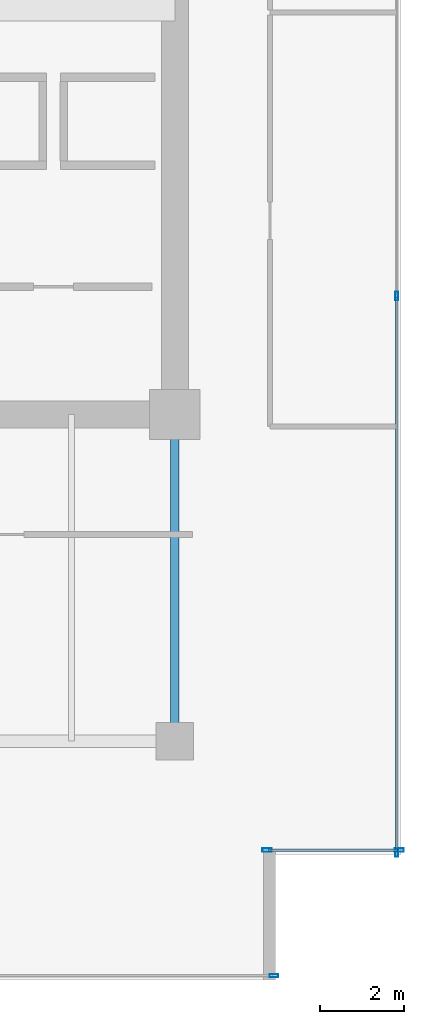
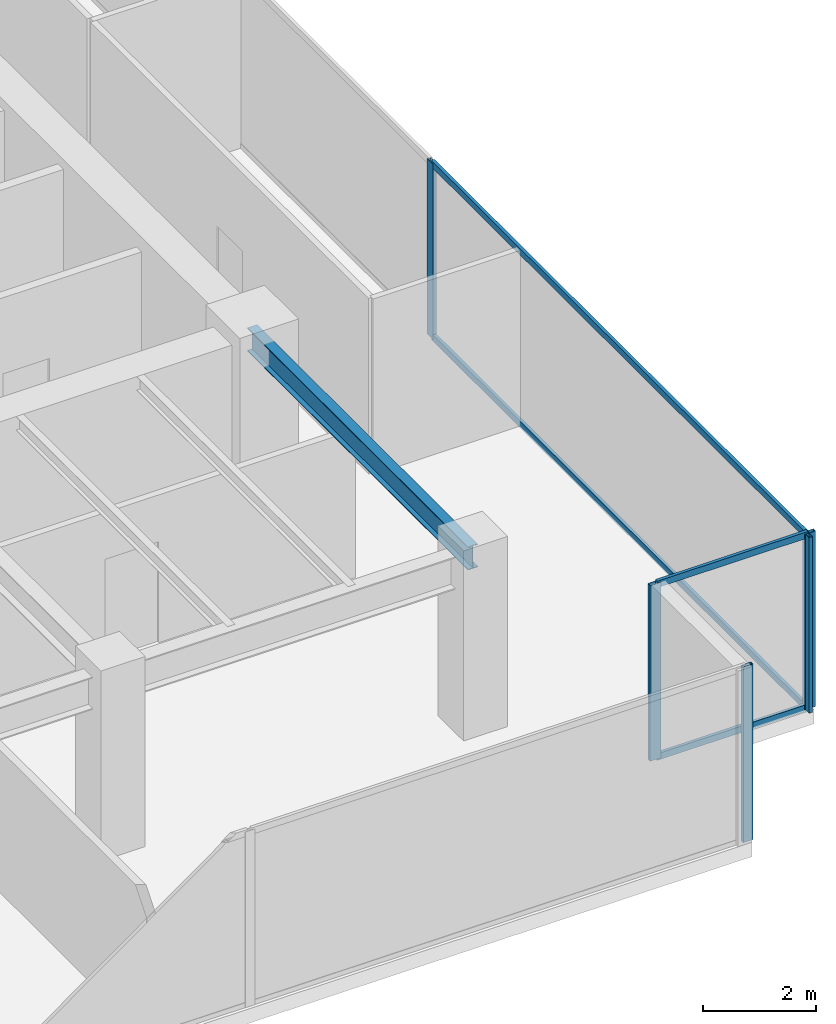
# One storey, part 21 of 30: 9 members, 1 beam, 3 elements without a shape of their own.
"""IFC4 building model written with IfcOpenShell, lengths in metres."""

import ifcopenshell
import ifcopenshell.guid

model = None  # the IFC model being written
_history = None  # IfcOwnerHistory: only IFC2X3 demands one
_inside = {}  # id of a spatial element -> (the spatial element, [elements in it])
_under = {}  # id of a project, library or spatial element -> (it, [spatial elements below it])
_declared = {}  # id of a project -> (the project, [libraries it declares])
_typed = {}  # id of a type object -> (the type object, [elements of that type])
_made_of = {}  # id of a material, layer set ... -> (it, [elements and type objects made of it])


def new_model(schema):
    """Start an empty IFC model of exactly this schema.

    Asked for "IFC4X3", IfcOpenShell would pick the latest addendum, in which some entities
    have other attributes; the version numbers below select the first issue.
    IFC2X3 requires an IfcOwnerHistory on every rooted entity: one is made here for all.
    """
    global model, _history
    if schema == "IFC4X3":
        model = ifcopenshell.file(schema_version=(4, 3, 0, 0))
    else:
        model = ifcopenshell.file(schema=schema)
    _inside.clear()
    _under.clear()
    _declared.clear()
    _typed.clear()
    _made_of.clear()
    _history = None
    if model.schema == "IFC2X3":
        org = make("IfcOrganization", Name="unknown")
        user = make(
            "IfcPersonAndOrganization",
            ThePerson=make("IfcPerson", FamilyName="unknown"),
            TheOrganization=org,
        )
        app = make(
            "IfcApplication",
            ApplicationDeveloper=org,
            Version="unknown",
            ApplicationFullName="unknown",
            ApplicationIdentifier="unknown",
        )
        _history = make(
            "IfcOwnerHistory",
            OwningUser=user,
            OwningApplication=app,
            ChangeAction="ADDED",
            CreationDate=0,
        )
    return model


def make(cls, **values):
    """One entity of the class cls with the attributes given. An attribute that is None is left unset."""
    return model.create_entity(
        cls, **{name: value for name, value in values.items() if value is not None}
    )


def rooted(cls, **values):
    """An entity with a GlobalId (a new one), such as an element, a storey or a relation."""
    return make(cls, GlobalId=ifcopenshell.guid.new(), OwnerHistory=_history, **values)


def si_unit(unit_type, name, prefix=None):
    """IfcSIUnit, for example si_unit("LENGTHUNIT", "METRE", prefix="MILLI")."""
    return make("IfcSIUnit", UnitType=unit_type, Prefix=prefix, Name=name)


def assignment(units):
    """IfcUnitAssignment: the units of a project."""
    return None if units is None else make("IfcUnitAssignment", Units=units)


def point(xyz):
    """IfcCartesianPoint."""
    return None if xyz is None else make("IfcCartesianPoint", Coordinates=xyz)


def direction(xyz):
    """IfcDirection."""
    return None if xyz is None else make("IfcDirection", DirectionRatios=xyz)


def frame(location, z_axis=None, x_axis=None):
    """IfcAxis2Placement3D, a coordinate frame: its origin and axes. An axis left out is left unset."""
    return make(
        "IfcAxis2Placement3D",
        Location=point(location),
        Axis=direction(z_axis),
        RefDirection=direction(x_axis),
    )


def frame_2d(location, x_axis=None):
    """IfcAxis2Placement2D, a coordinate frame in the plane: its origin and x axis."""
    return make(
        "IfcAxis2Placement2D", Location=point(location), RefDirection=direction(x_axis)
    )


def origin():
    """The frame at (0, 0, 0) with its axes left unset."""
    return frame((0.0, 0.0, 0.0))


def origin_2d():
    """The frame at (0, 0) in the plane with its x axis left unset."""
    return frame_2d((0.0, 0.0))


def place(relative_to, where):
    """IfcLocalPlacement: puts the frame where relative to a parent placement (None: the world)."""
    return make(
        "IfcLocalPlacement", PlacementRelTo=relative_to, RelativePlacement=where
    )


def context(
    kind, dimensions, precision=None, world=None, true_north=None, identifier=None
):
    """IfcGeometricRepresentationContext, for example the 3D "Model" context."""
    return make(
        "IfcGeometricRepresentationContext",
        ContextIdentifier=identifier,
        ContextType=kind,
        CoordinateSpaceDimension=dimensions,
        Precision=precision,
        WorldCoordinateSystem=world,
        TrueNorth=true_north,
    )


def subcontext(parent, identifier, kind, view, scale=None):
    """IfcGeometricRepresentationSubContext, for example "Body" below "Model"."""
    return make(
        "IfcGeometricRepresentationSubContext",
        ContextIdentifier=identifier,
        ContextType=kind,
        ParentContext=parent,
        TargetScale=scale,
        TargetView=view,
    )


def project(units=None, contexts=None):
    """IfcProject with its units and contexts."""
    return rooted(
        "IfcProject",
        Name="project",
        RepresentationContexts=contexts,
        UnitsInContext=assignment(units),
    )


def spatial(cls, under=None, at=None, **own):
    """A site, building, storey or space (cls), placed at a placement, below another one or the project."""
    s = rooted(cls, ObjectPlacement=at, **own)
    if under is not None:
        _under.setdefault(under.id(), (under, []))[1].append(s)
    return s


def profile(cls, at=None, kind="AREA", **sizes):
    """A parametric profile (cls). Its sizes go by their IFC names, for example OverallWidth=200.0."""
    return make(cls, ProfileType=kind, Position=at, **sizes)


def hollow_rectangle(**sizes):
    """IfcRectangleHollowProfileDef."""
    return profile("IfcRectangleHollowProfileDef", **sizes)


def i_section(**sizes):
    """IfcIShapeProfileDef."""
    return profile("IfcIShapeProfileDef", **sizes)


def extrude(swept, where, along, depth):
    """IfcExtrudedAreaSolid: the profile swept, set in the frame where, extruded along a direction by depth."""
    return make(
        "IfcExtrudedAreaSolid",
        SweptArea=swept,
        Position=where,
        ExtrudedDirection=direction(along),
        Depth=depth,
    )


def shape(context_of_items, identifier, shape_type, items):
    """IfcShapeRepresentation: the items that make up one representation, for example the "Body"."""
    return make(
        "IfcShapeRepresentation",
        ContextOfItems=context_of_items,
        RepresentationIdentifier=identifier,
        RepresentationType=shape_type,
        Items=items,
    )


def source(mapping_origin, context_of_items, identifier, shape_type, items):
    """IfcRepresentationMap: a shape defined once, which mapped items show again and again."""
    return make(
        "IfcRepresentationMap",
        MappingOrigin=mapping_origin,
        MappedRepresentation=shape(context_of_items, identifier, shape_type, items),
    )


def transform(
    local_origin,
    x_axis=None,
    y_axis=None,
    z_axis=None,
    scale=None,
    scale2=None,
    scale3=None,
    uniform=True,
):
    """IfcCartesianTransformationOperator3D, or its non-uniform kind. x_axis, y_axis, z_axis: its Axis1, 2, 3."""
    if uniform:
        return make(
            "IfcCartesianTransformationOperator3D",
            Axis1=direction(x_axis),
            Axis2=direction(y_axis),
            LocalOrigin=point(local_origin),
            Scale=scale,
            Axis3=direction(z_axis),
        )
    return make(
        "IfcCartesianTransformationOperator3DnonUniform",
        Axis1=direction(x_axis),
        Axis2=direction(y_axis),
        LocalOrigin=point(local_origin),
        Scale=scale,
        Axis3=direction(z_axis),
        Scale2=scale2,
        Scale3=scale3,
    )


def mapped(mapping_source, mapping_target):
    """IfcMappedItem: shows the shape of a source again, moved by a transform."""
    return make(
        "IfcMappedItem", MappingSource=mapping_source, MappingTarget=mapping_target
    )


def material(Name=None, Category=None):
    """IfcMaterial."""
    return make("IfcMaterial", Name=Name, Category=Category)


def layer(
    of_material, thickness, ventilated=None, Name=None, Category=None, Priority=None
):
    """IfcMaterialLayer: one layer of a wall or slab, of a material (None: an air gap)."""
    return make(
        "IfcMaterialLayer",
        Material=of_material,
        LayerThickness=thickness,
        IsVentilated=ventilated,
        Name=Name,
        Category=Category,
        Priority=Priority,
    )


def layer_set(layers, Name=None):
    """IfcMaterialLayerSet."""
    return make("IfcMaterialLayerSet", MaterialLayers=layers, LayerSetName=Name)


def material_profile(
    of_material, cross_section, Name=None, Category=None, Priority=None
):
    """IfcMaterialProfile: a cross section and its material."""
    return make(
        "IfcMaterialProfile",
        Name=Name,
        Material=of_material,
        Profile=cross_section,
        Priority=Priority,
        Category=Category,
    )


def profile_set(profiles, Name=None, composite=None):
    """IfcMaterialProfileSet."""
    return make(
        "IfcMaterialProfileSet",
        Name=Name,
        MaterialProfiles=profiles,
        CompositeProfile=composite,
    )


def made_of(thing, what):
    """Note that an element or type object is made of a material, layer set ...; save() writes the relation."""
    if what is not None:
        _made_of.setdefault(what.id(), (what, []))[1].append(thing)
    return thing


def type_object(cls, material=None, **own):
    """A type object (cls), such as IfcWallType, which elements share."""
    return made_of(rooted(cls, **own), material)


def type_shapes(of_type, sources):
    """Give a type object the sources (RepresentationMaps) that its elements show as mapped items."""
    of_type.RepresentationMaps = sources


def element(
    cls,
    number,
    at=None,
    inside=None,
    cuts=None,
    type_object=None,
    material=None,
    context=None,
    identifier="Body",
    shape_type=None,
    held_by="IfcProductDefinitionShape",
    body=None,
    shapes=None,
    **own,
):
    """One element of the class cls, such as IfcWall. Its Tag is "e" and its number.

    at: its placement. inside: the storey or other place that contains it. cuts: it is an
    opening in that element (IfcRelVoidsElement). A single representation is given by context,
    identifier, shape_type and body (its items); several are given by shapes. held_by: the class
    of the entity that holds the representations. save() writes the other relations.
    """
    e = rooted(cls, Tag="e%d" % number, ObjectPlacement=at, **own)
    if body is not None:
        shapes = [shape(context, identifier, shape_type, body)]
    if shapes is not None:
        e.Representation = make(held_by, Representations=shapes)
    if inside is not None:
        _inside.setdefault(inside.id(), (inside, []))[1].append(e)
    if cuts is not None:
        rooted(
            "IfcRelVoidsElement", RelatingBuildingElement=cuts, RelatedOpeningElement=e
        )
    if type_object is not None:
        _typed.setdefault(type_object.id(), (type_object, []))[1].append(e)
    return made_of(e, material)


def aggregate(whole, parts):
    """IfcRelAggregates: a whole, such as a stair, and the parts it consists of."""
    return rooted("IfcRelAggregates", RelatingObject=whole, RelatedObjects=parts)


def save(model, path):
    """Write the relations noted so far, then the file.

    IfcRelAggregates (storeys below a building ...), IfcRelContainedInSpatialStructure (elements
    in a storey), IfcRelDefinesByType, IfcRelAssociatesMaterial and IfcRelDeclares: one each for
    every whole, place, type object, material and project.
    """
    for whole, parts in _under.values():
        aggregate(whole, parts)
    for where, things in _inside.values():
        rooted(
            "IfcRelContainedInSpatialStructure",
            RelatedElements=things,
            RelatingStructure=where,
        )
    for kind, things in _typed.values():
        rooted("IfcRelDefinesByType", RelatedObjects=things, RelatingType=kind)
    for what, things in _made_of.values():
        rooted("IfcRelAssociatesMaterial", RelatedObjects=things, RelatingMaterial=what)
    for by, libraries in _declared.values():
        rooted("IfcRelDeclares", RelatingContext=by, RelatedDefinitions=libraries)
    model.write(path)


model = new_model("IFC4")

# Units and contexts
model_context = context("Model", 3, precision=1e-05, world=origin(), true_north=direction((0.0, 1.0)))
body_context = subcontext(model_context, "Body", "Model", "MODEL_VIEW")
ifc_project = project(units=[si_unit("LENGTHUNIT", "METRE"), si_unit("AREAUNIT", "SQUARE_METRE"), si_unit("VOLUMEUNIT", "CUBIC_METRE"), si_unit("PLANEANGLEUNIT", "RADIAN"), si_unit("MASSUNIT", "GRAM", prefix="KILO")], contexts=[model_context])

# Site, building, storey
site_placement = place(None, origin())
site = spatial("IfcSite", under=ifc_project, at=site_placement, CompositionType="ELEMENT")
building_placement = place(site_placement, origin())
building = spatial("IfcBuilding", under=site, at=building_placement, Name="Haelvirn Gate Laboratories", CompositionType="ELEMENT")
storey_placement = place(building_placement, frame((0.0, 0.0, 162.5)))
storey = spatial("IfcBuildingStorey", under=building, at=storey_placement, Name="L39", CompositionType="ELEMENT", Elevation=162.5)

# Beam
ifc_material_1 = material(Name="Steel SM355", Category="steel")
ifc_material_profile_1 = material_profile(ifc_material_1, i_section(OverallWidth=0.199951171875, OverallDepth=0.5, WebThickness=0.010009765625, FlangeThickness=0.01611328125, at=origin_2d()), Name="H-500x200x10x16")
ifc_profile_set_1 = profile_set([ifc_material_profile_1], Name="Steel SM355")
beam_type = type_object("IfcBeamType", Name="BM-SP-500", PredefinedType="SPANDREL", material=ifc_profile_set_1)
shared_shape_1 = source(origin(), body_context, "Body", "SweptSolid", [
    extrude(i_section(OverallWidth=0.199951171875, OverallDepth=0.5, WebThickness=0.010009765625, FlangeThickness=0.01611328125, at=origin_2d()), origin(), (0.0, 0.0, 1.0), 7.800048828125),
])
type_shapes(beam_type, [shared_shape_1])
beam_placement = place(storey_placement, frame((67.39990234375, 7.0, 3.5400390625), z_axis=(0.0, 1.0, 0.0), x_axis=(-1.0, 0.0, 0.0)))
element("IfcBeam", 1, at=beam_placement, inside=storey, type_object=beam_type, Name="L39 Perimeter Spandrel X67.4 (7.0-14.8)", PredefinedType="SPANDREL", context=body_context, shape_type="MappedRepresentation", body=[
    mapped(shared_shape_1, transform((0.0, 0.0, 0.0), scale=1.0)),
])

# Curtain wall, members
ifc_material_2 = material(Name="Anodised bronze unitised aluminium & triple low-E glass", Category="aluminium")
ifc_layer_1 = layer(ifc_material_2, 0.181884765625, Name="CW-SYS-5")
ifc_layer_set_1 = layer_set([ifc_layer_1], Name="Anodised bronze unitised aluminium & triple low-E glass")
curtain_wall_type_1 = type_object("IfcCurtainWallType", Name="CW-SYS-5", PredefinedType="NOTDEFINED", material=ifc_layer_set_1)
curtain_wall_1_placement = place(storey_placement, origin())
curtain_wall_1 = element("IfcCurtainWall", 2, at=curtain_wall_1_placement, inside=storey, type_object=curtain_wall_type_1, Name="L39 Unitised Curtain Wall CW-L39-P0-E06-1", PredefinedType="NOTDEFINED")
ifc_material_3 = material(Name="Extruded aluminium 6063-T6 (anodised bronze)", Category="aluminium")
ifc_material_profile_2 = material_profile(ifc_material_3, hollow_rectangle(XDim=0.06494140625, YDim=0.139892578125, WallThickness=0.00390625, at=origin_2d()), Name="CWT-140x65x4")
ifc_profile_set_2 = profile_set([ifc_material_profile_2], Name="Extruded aluminium 6063-T6 (anodised bronze)")
member_type_1 = type_object("IfcMemberType", Name="CWT-T140", PredefinedType="USERDEFINED", material=ifc_profile_set_2)
shared_shape_2 = source(origin(), body_context, "Body", "SweptSolid", [
    extrude(hollow_rectangle(XDim=0.06494140625, YDim=0.139892578125, WallThickness=0.00390625, at=origin_2d()), origin(), (0.0, 0.0, 1.0), 3.080078125),
])
member_1_placement = place(storey_placement, frame((69.639892578125, 4.39990234375, 0.032470703125), z_axis=(1.0, 0.0, 0.0), x_axis=(0.0, 1.0, 0.0)))
member_1 = element("IfcMember", 3, at=member_1_placement, type_object=member_type_1, Name="CW5 transom 1.1", ObjectType="TRANSOM", PredefinedType="USERDEFINED", context=body_context, shape_type="MappedRepresentation", body=[
    mapped(shared_shape_2, transform((0.0, 0.0, 0.0), scale=1.0)),
])
member_2_placement = place(storey_placement, frame((69.639892578125, 4.39990234375, 3.757568359375), z_axis=(1.0, 0.0, 0.0), x_axis=(0.0, 1.0, 0.0)))
member_2 = element("IfcMember", 4, at=member_2_placement, type_object=member_type_1, Name="CW5 transom 1.2", ObjectType="TRANSOM", PredefinedType="USERDEFINED", context=body_context, shape_type="MappedRepresentation", body=[
    mapped(shared_shape_2, transform((0.0, 0.0, 0.0), scale=1.0)),
])

ifc_layer_2 = layer(ifc_material_2, 0.179931640625, Name="CW-SYS-3")
ifc_layer_set_2 = layer_set([ifc_layer_2], Name="Anodised bronze unitised aluminium & triple low-E glass")
curtain_wall_type_2 = type_object("IfcCurtainWallType", Name="CW-SYS-3", PredefinedType="NOTDEFINED", material=ifc_layer_set_2)
curtain_wall_2_placement = place(storey_placement, origin())
curtain_wall_2 = element("IfcCurtainWall", 5, at=curtain_wall_2_placement, inside=storey, type_object=curtain_wall_type_2, Name="L39 Unitised Curtain Wall CW-L39-P0-E07", PredefinedType="NOTDEFINED")
shared_shape_3 = source(origin(), body_context, "Body", "SweptSolid", [
    extrude(hollow_rectangle(XDim=0.06494140625, YDim=0.139892578125, WallThickness=0.00390625, at=origin_2d()), origin(), (0.0, 0.0, 1.0), 13.220947265625),
])
type_shapes(member_type_1, [shared_shape_2, shared_shape_3])
member_3_placement = place(storey_placement, frame((72.699951171875, 4.375, 0.032470703125), z_axis=(0.0, 1.0, 0.0), x_axis=(-1.0, 0.0, 0.0)))
member_3 = element("IfcMember", 6, at=member_3_placement, type_object=member_type_1, Name="CW3 transom 1.1", ObjectType="TRANSOM", PredefinedType="USERDEFINED", context=body_context, shape_type="MappedRepresentation", body=[
    mapped(shared_shape_3, transform((0.0, 0.0, 0.0), scale=1.0)),
])
member_4_placement = place(storey_placement, frame((72.699951171875, 4.375, 3.757568359375), z_axis=(0.0, 1.0, 0.0), x_axis=(-1.0, 0.0, 0.0)))
member_4 = element("IfcMember", 7, at=member_4_placement, type_object=member_type_1, Name="CW3 transom 1.2", ObjectType="TRANSOM", PredefinedType="USERDEFINED", context=body_context, shape_type="MappedRepresentation", body=[
    mapped(shared_shape_3, transform((0.0, 0.0, 0.0), scale=1.0)),
])

# Curtain wall, member
curtain_wall_3_placement = place(storey_placement, origin())
curtain_wall_3 = element("IfcCurtainWall", 8, at=curtain_wall_3_placement, inside=storey, type_object=curtain_wall_type_2, Name="L39 Unitised Curtain Wall CW-L39-P0-E04-1", PredefinedType="NOTDEFINED")
ifc_material_profile_3 = material_profile(ifc_material_3, hollow_rectangle(XDim=0.074951171875, YDim=0.199951171875, WallThickness=0.0048828125, at=origin_2d()), Name="CWM-200x75x5")
ifc_profile_set_3 = profile_set([ifc_material_profile_3], Name="Extruded aluminium 6063-T6 (anodised bronze)")
member_type_2 = type_object("IfcMemberType", Name="CWM-T200", PredefinedType="MULLION", material=ifc_profile_set_3)
shared_shape_4 = source(origin(), body_context, "Body", "SweptSolid", [
    extrude(hollow_rectangle(XDim=0.074951171875, YDim=0.199951171875, WallThickness=0.0048828125, at=origin_2d()), origin(), (0.0, 0.0, 1.0), 3.7900390625),
])
type_shapes(member_type_2, [shared_shape_4])
member_5_placement = place(storey_placement, frame((69.762451171875, 1.39990234375, 0.0), z_axis=(0.0, 0.0, 1.0), x_axis=(0.0, 1.0, 0.0)))
member_5 = element("IfcMember", 9, at=member_5_placement, type_object=member_type_2, Name="CW3 mullion 3", PredefinedType="MULLION", context=body_context, shape_type="MappedRepresentation", body=[
    mapped(shared_shape_4, transform((0.0, 0.0, 0.0), scale=1.0)),
])
aggregate(curtain_wall_3, [member_5])

# Member
member_6_placement = place(storey_placement, frame((72.699951171875, 4.33740234375, 0.0), z_axis=(0.0, 0.0, 1.0), x_axis=(-1.0, 0.0, 0.0)))
member_6 = element("IfcMember", 10, at=member_6_placement, type_object=member_type_2, Name="CW3 mullion 1", PredefinedType="MULLION", context=body_context, shape_type="MappedRepresentation", body=[
    mapped(shared_shape_4, transform((0.0, 0.0, 0.0), scale=1.0)),
])

member_7_placement = place(storey_placement, frame((72.699951171875, 17.63330078125, 0.0), z_axis=(0.0, 0.0, 1.0), x_axis=(-1.0, 0.0, 0.0)))
member_7 = element("IfcMember", 11, at=member_7_placement, type_object=member_type_2, Name="CW3 mullion 2", PredefinedType="MULLION", context=body_context, shape_type="MappedRepresentation", body=[
    mapped(shared_shape_4, transform((0.0, 0.0, 0.0), scale=1.0)),
])

aggregate(curtain_wall_2, [member_6, member_7, member_3, member_4])

ifc_material_profile_4 = material_profile(ifc_material_3, hollow_rectangle(XDim=0.080078125, YDim=0.219970703125, WallThickness=0.006103515625, at=origin_2d()), Name="CWM-220x80x6")
ifc_profile_set_4 = profile_set([ifc_material_profile_4], Name="Extruded aluminium 6063-T6 (anodised bronze)")
member_type_3 = type_object("IfcMemberType", Name="CWM-T220", PredefinedType="MULLION", material=ifc_profile_set_4)
shared_shape_5 = source(origin(), body_context, "Body", "SweptSolid", [
    extrude(hollow_rectangle(XDim=0.080078125, YDim=0.219970703125, WallThickness=0.006103515625, at=origin_2d()), origin(), (0.0, 0.0, 1.0), 3.7900390625),
])
type_shapes(member_type_3, [shared_shape_5])
member_8_placement = place(storey_placement, frame((69.60009765625, 4.39990234375, 0.0), z_axis=(0.0, 0.0, 1.0), x_axis=(0.0, 1.0, 0.0)))
member_8 = element("IfcMember", 12, at=member_8_placement, type_object=member_type_3, Name="CW5 mullion 1", PredefinedType="MULLION", context=body_context, shape_type="MappedRepresentation", body=[
    mapped(shared_shape_5, transform((0.0, 0.0, 0.0), scale=1.0)),
])

member_9_placement = place(storey_placement, frame((72.760009765625, 4.39990234375, 0.0), z_axis=(0.0, 0.0, 1.0), x_axis=(0.0, 1.0, 0.0)))
member_9 = element("IfcMember", 13, at=member_9_placement, type_object=member_type_3, Name="CW5 mullion 2", PredefinedType="MULLION", context=body_context, shape_type="MappedRepresentation", body=[
    mapped(shared_shape_5, transform((0.0, 0.0, 0.0), scale=1.0)),
])

aggregate(curtain_wall_1, [member_8, member_9, member_1, member_2])

save(model, "model.ifc")
